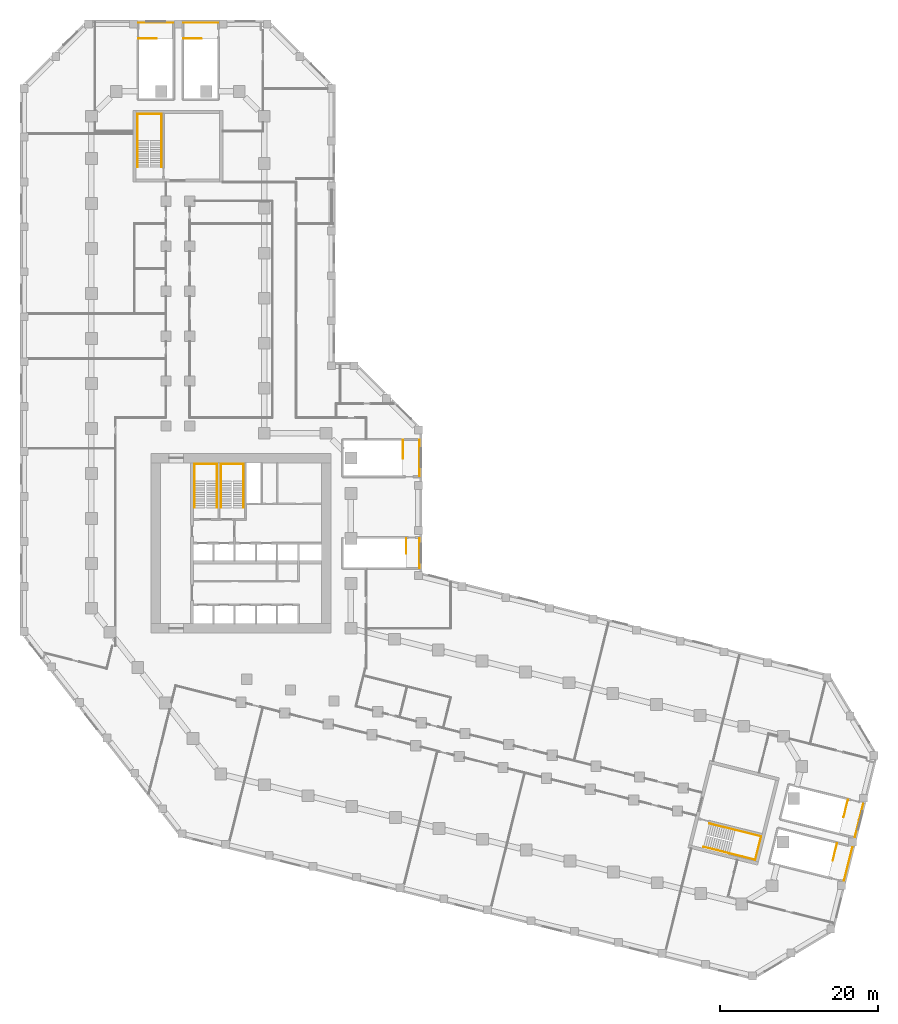
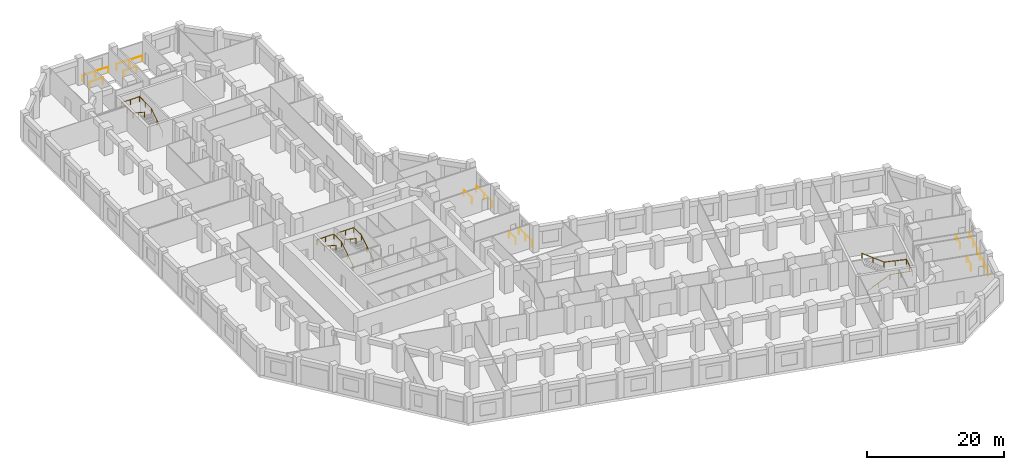
# One storey, part 13 of 13: 16 railings.
"""IFC4 building model written with IfcOpenShell, lengths in metres."""

import ifcopenshell
import ifcopenshell.guid

model = None  # the IFC model being written
_history = None  # IfcOwnerHistory: only IFC2X3 demands one
_inside = {}  # id of a spatial element -> (the spatial element, [elements in it])
_under = {}  # id of a project, library or spatial element -> (it, [spatial elements below it])
_declared = {}  # id of a project -> (the project, [libraries it declares])
_typed = {}  # id of a type object -> (the type object, [elements of that type])
_made_of = {}  # id of a material, layer set ... -> (it, [elements and type objects made of it])


def new_model(schema):
    """Start an empty IFC model of exactly this schema.

    Asked for "IFC4X3", IfcOpenShell would pick the latest addendum, in which some entities
    have other attributes; the version numbers below select the first issue.
    IFC2X3 requires an IfcOwnerHistory on every rooted entity: one is made here for all.
    """
    global model, _history
    if schema == "IFC4X3":
        model = ifcopenshell.file(schema_version=(4, 3, 0, 0))
    else:
        model = ifcopenshell.file(schema=schema)
    _inside.clear()
    _under.clear()
    _declared.clear()
    _typed.clear()
    _made_of.clear()
    _history = None
    if model.schema == "IFC2X3":
        org = make("IfcOrganization", Name="unknown")
        user = make(
            "IfcPersonAndOrganization",
            ThePerson=make("IfcPerson", FamilyName="unknown"),
            TheOrganization=org,
        )
        app = make(
            "IfcApplication",
            ApplicationDeveloper=org,
            Version="unknown",
            ApplicationFullName="unknown",
            ApplicationIdentifier="unknown",
        )
        _history = make(
            "IfcOwnerHistory",
            OwningUser=user,
            OwningApplication=app,
            ChangeAction="ADDED",
            CreationDate=0,
        )
    return model


def make(cls, **values):
    """One entity of the class cls with the attributes given. An attribute that is None is left unset."""
    return model.create_entity(
        cls, **{name: value for name, value in values.items() if value is not None}
    )


def rooted(cls, **values):
    """An entity with a GlobalId (a new one), such as an element, a storey or a relation."""
    return make(cls, GlobalId=ifcopenshell.guid.new(), OwnerHistory=_history, **values)


def si_unit(unit_type, name, prefix=None):
    """IfcSIUnit, for example si_unit("LENGTHUNIT", "METRE", prefix="MILLI")."""
    return make("IfcSIUnit", UnitType=unit_type, Prefix=prefix, Name=name)


def assignment(units):
    """IfcUnitAssignment: the units of a project."""
    return None if units is None else make("IfcUnitAssignment", Units=units)


def point(xyz):
    """IfcCartesianPoint."""
    return None if xyz is None else make("IfcCartesianPoint", Coordinates=xyz)


def direction(xyz):
    """IfcDirection."""
    return None if xyz is None else make("IfcDirection", DirectionRatios=xyz)


def frame(location, z_axis=None, x_axis=None):
    """IfcAxis2Placement3D, a coordinate frame: its origin and axes. An axis left out is left unset."""
    return make(
        "IfcAxis2Placement3D",
        Location=point(location),
        Axis=direction(z_axis),
        RefDirection=direction(x_axis),
    )


def frame_2d(location, x_axis=None):
    """IfcAxis2Placement2D, a coordinate frame in the plane: its origin and x axis."""
    return make(
        "IfcAxis2Placement2D", Location=point(location), RefDirection=direction(x_axis)
    )


def origin():
    """The frame at (0, 0, 0) with its axes left unset."""
    return frame((0.0, 0.0, 0.0))


def origin_2d():
    """The frame at (0, 0) in the plane with its x axis left unset."""
    return frame_2d((0.0, 0.0))


def place(relative_to, where):
    """IfcLocalPlacement: puts the frame where relative to a parent placement (None: the world)."""
    return make(
        "IfcLocalPlacement", PlacementRelTo=relative_to, RelativePlacement=where
    )


def context(
    kind, dimensions, precision=None, world=None, true_north=None, identifier=None
):
    """IfcGeometricRepresentationContext, for example the 3D "Model" context."""
    return make(
        "IfcGeometricRepresentationContext",
        ContextIdentifier=identifier,
        ContextType=kind,
        CoordinateSpaceDimension=dimensions,
        Precision=precision,
        WorldCoordinateSystem=world,
        TrueNorth=true_north,
    )


def subcontext(parent, identifier, kind, view, scale=None):
    """IfcGeometricRepresentationSubContext, for example "Body" below "Model"."""
    return make(
        "IfcGeometricRepresentationSubContext",
        ContextIdentifier=identifier,
        ContextType=kind,
        ParentContext=parent,
        TargetScale=scale,
        TargetView=view,
    )


def project(units=None, contexts=None):
    """IfcProject with its units and contexts."""
    return rooted(
        "IfcProject",
        Name="project",
        RepresentationContexts=contexts,
        UnitsInContext=assignment(units),
    )


def spatial(cls, under=None, at=None, **own):
    """A site, building, storey or space (cls), placed at a placement, below another one or the project."""
    s = rooted(cls, ObjectPlacement=at, **own)
    if under is not None:
        _under.setdefault(under.id(), (under, []))[1].append(s)
    return s


def profile(cls, at=None, kind="AREA", **sizes):
    """A parametric profile (cls). Its sizes go by their IFC names, for example OverallWidth=200.0."""
    return make(cls, ProfileType=kind, Position=at, **sizes)


def circle(**sizes):
    """IfcCircleProfileDef."""
    return profile("IfcCircleProfileDef", **sizes)


def extrude(swept, where, along, depth):
    """IfcExtrudedAreaSolid: the profile swept, set in the frame where, extruded along a direction by depth."""
    return make(
        "IfcExtrudedAreaSolid",
        SweptArea=swept,
        Position=where,
        ExtrudedDirection=direction(along),
        Depth=depth,
    )


def shape(context_of_items, identifier, shape_type, items):
    """IfcShapeRepresentation: the items that make up one representation, for example the "Body"."""
    return make(
        "IfcShapeRepresentation",
        ContextOfItems=context_of_items,
        RepresentationIdentifier=identifier,
        RepresentationType=shape_type,
        Items=items,
    )


def material(Name=None, Category=None):
    """IfcMaterial."""
    return make("IfcMaterial", Name=Name, Category=Category)


def made_of(thing, what):
    """Note that an element or type object is made of a material, layer set ...; save() writes the relation."""
    if what is not None:
        _made_of.setdefault(what.id(), (what, []))[1].append(thing)
    return thing


def type_object(cls, material=None, **own):
    """A type object (cls), such as IfcWallType, which elements share."""
    return made_of(rooted(cls, **own), material)


def element(
    cls,
    number,
    at=None,
    inside=None,
    cuts=None,
    type_object=None,
    material=None,
    context=None,
    identifier="Body",
    shape_type=None,
    held_by="IfcProductDefinitionShape",
    body=None,
    shapes=None,
    **own,
):
    """One element of the class cls, such as IfcWall. Its Tag is "e" and its number.

    at: its placement. inside: the storey or other place that contains it. cuts: it is an
    opening in that element (IfcRelVoidsElement). A single representation is given by context,
    identifier, shape_type and body (its items); several are given by shapes. held_by: the class
    of the entity that holds the representations. save() writes the other relations.
    """
    e = rooted(cls, Tag="e%d" % number, ObjectPlacement=at, **own)
    if body is not None:
        shapes = [shape(context, identifier, shape_type, body)]
    if shapes is not None:
        e.Representation = make(held_by, Representations=shapes)
    if inside is not None:
        _inside.setdefault(inside.id(), (inside, []))[1].append(e)
    if cuts is not None:
        rooted(
            "IfcRelVoidsElement", RelatingBuildingElement=cuts, RelatedOpeningElement=e
        )
    if type_object is not None:
        _typed.setdefault(type_object.id(), (type_object, []))[1].append(e)
    return made_of(e, material)


def aggregate(whole, parts):
    """IfcRelAggregates: a whole, such as a stair, and the parts it consists of."""
    return rooted("IfcRelAggregates", RelatingObject=whole, RelatedObjects=parts)


def save(model, path):
    """Write the relations noted so far, then the file.

    IfcRelAggregates (storeys below a building ...), IfcRelContainedInSpatialStructure (elements
    in a storey), IfcRelDefinesByType, IfcRelAssociatesMaterial and IfcRelDeclares: one each for
    every whole, place, type object, material and project.
    """
    for whole, parts in _under.values():
        aggregate(whole, parts)
    for where, things in _inside.values():
        rooted(
            "IfcRelContainedInSpatialStructure",
            RelatedElements=things,
            RelatingStructure=where,
        )
    for kind, things in _typed.values():
        rooted("IfcRelDefinesByType", RelatedObjects=things, RelatingType=kind)
    for what, things in _made_of.values():
        rooted("IfcRelAssociatesMaterial", RelatedObjects=things, RelatingMaterial=what)
    for by, libraries in _declared.values():
        rooted("IfcRelDeclares", RelatingContext=by, RelatedDefinitions=libraries)
    model.write(path)


model = new_model("IFC4")

# Units and contexts
model_context = context("Model", 3, precision=1e-05, world=origin(), true_north=direction((0.0, 1.0)))
body_context = subcontext(model_context, "Body", "Model", "MODEL_VIEW")
ifc_project = project(units=[si_unit("LENGTHUNIT", "METRE"), si_unit("AREAUNIT", "SQUARE_METRE"), si_unit("VOLUMEUNIT", "CUBIC_METRE"), si_unit("PLANEANGLEUNIT", "RADIAN"), si_unit("MASSUNIT", "GRAM", prefix="KILO")], contexts=[model_context])

# Site, building, storey
site_placement = place(None, origin())
site = spatial("IfcSite", under=ifc_project, at=site_placement, CompositionType="ELEMENT")
building_placement = place(site_placement, origin())
building = spatial("IfcBuilding", under=site, at=building_placement, Name="Meshkara Civic Tower", CompositionType="ELEMENT")
storey_placement = place(building_placement, frame((0.0, 0.0, 28.199951171875)))
storey = spatial("IfcBuildingStorey", under=building, at=storey_placement, Name="L05", CompositionType="ELEMENT", Elevation=28.199951171875)

# Railings
ifc_material_1 = material(Name="Steel guard", Category="steel")
railing_type_1 = type_object("IfcRailingType", Name="Podium stair guard 1100", PredefinedType="GUARDRAIL", material=ifc_material_1)
railing_1_placement = place(storey_placement, frame((6.43505859375, 89.469970703125, 0.0)))
element("IfcRailing", 1, at=railing_1_placement, inside=storey, type_object=railing_type_1, Name="L05 PS1 top well guard 1", PredefinedType="GUARDRAIL", context=body_context, shape_type="SweptSolid", body=[
    extrude(circle(Radius=0.02392578125, at=origin_2d()), frame((0.0, 0.0, 1.076171875), z_axis=(1.0, 0.0, 0.0), x_axis=(0.0, 1.0, 0.0)), (0.0, 0.0, 1.0), 2.25),
    extrude(circle(Radius=0.02099609375, at=origin_2d()), origin(), (0.0, 0.0, 1.0), 1.052001953125),
    extrude(circle(Radius=0.02099609375, at=origin_2d()), frame((2.25, 0.0, 0.0)), (0.0, 0.0, 1.0), 1.052001953125),
])
railing_2_placement = place(storey_placement, frame((6.43505859375, 91.469970703125, 0.0)))
element("IfcRailing", 2, at=railing_2_placement, inside=storey, type_object=railing_type_1, Name="L05 PS1 top well guard 2", PredefinedType="GUARDRAIL", context=body_context, shape_type="SweptSolid", body=[
    extrude(circle(Radius=0.02392578125, at=origin_2d()), frame((0.0, 0.0, 1.076171875), z_axis=(1.0, 0.0, 0.0), x_axis=(0.0, 1.0, 0.0)), (0.0, 0.0, 1.0), 4.349853515625),
    extrude(circle(Radius=0.02099609375, at=origin_2d()), origin(), (0.0, 0.0, 1.0), 1.052001953125),
    extrude(circle(Radius=0.02099609375, at=origin_2d()), frame((2.1748046875, 0.0, 0.0)), (0.0, 0.0, 1.0), 1.052001953125),
    extrude(circle(Radius=0.02099609375, at=origin_2d()), frame((4.349853515625, 0.0, 0.0)), (0.0, 0.0, 1.0), 1.052001953125),
])
railing_3_placement = place(storey_placement, frame((12.135009765625, 89.469970703125, 0.0)))
element("IfcRailing", 3, at=railing_3_placement, inside=storey, type_object=railing_type_1, Name="L05 PS2 top well guard 1", PredefinedType="GUARDRAIL", context=body_context, shape_type="SweptSolid", body=[
    extrude(circle(Radius=0.02392578125, at=origin_2d()), frame((0.0, 0.0, 1.076171875), z_axis=(1.0, 0.0, 0.0), x_axis=(0.0, 1.0, 0.0)), (0.0, 0.0, 1.0), 2.25),
    extrude(circle(Radius=0.02099609375, at=origin_2d()), origin(), (0.0, 0.0, 1.0), 1.052001953125),
    extrude(circle(Radius=0.02099609375, at=origin_2d()), frame((2.25, 0.0, 0.0)), (0.0, 0.0, 1.0), 1.052001953125),
])
railing_4_placement = place(storey_placement, frame((12.135009765625, 91.469970703125, 0.0)))
element("IfcRailing", 4, at=railing_4_placement, inside=storey, type_object=railing_type_1, Name="L05 PS2 top well guard 2", PredefinedType="GUARDRAIL", context=body_context, shape_type="SweptSolid", body=[
    extrude(circle(Radius=0.02392578125, at=origin_2d()), frame((0.0, 0.0, 1.076171875), z_axis=(1.0, 0.0, 0.0), x_axis=(0.0, 1.0, 0.0)), (0.0, 0.0, 1.0), 4.35009765625),
    extrude(circle(Radius=0.02099609375, at=origin_2d()), origin(), (0.0, 0.0, 1.0), 1.052001953125),
    extrude(circle(Radius=0.02099609375, at=origin_2d()), frame((2.175048828125, 0.0, 0.0)), (0.0, 0.0, 1.0), 1.052001953125),
    extrude(circle(Radius=0.02099609375, at=origin_2d()), frame((4.35009765625, 0.0, 0.0)), (0.0, 0.0, 1.0), 1.052001953125),
])
railing_5_placement = place(storey_placement, frame((94.951904296875, -12.55908203125, 0.0)))
element("IfcRailing", 5, at=railing_5_placement, inside=storey, type_object=railing_type_1, Name="L05 PS3 top well guard 1", PredefinedType="GUARDRAIL", context=body_context, shape_type="SweptSolid", body=[
    extrude(circle(Radius=0.02392578125, at=origin_2d()), frame((0.0, 0.0, 1.076171875), z_axis=(-0.24197389347, -0.970282760271, 0.0), x_axis=(0.970282760271, -0.24197389347, 0.0)), (0.0, 0.0, 1.0), 2.25),
    extrude(circle(Radius=0.02099609375, at=origin_2d()), origin(), (0.0, 0.0, 1.0), 1.052001953125),
    extrude(circle(Radius=0.02099609375, at=origin_2d()), frame((-0.54443359375, -2.18310546875, 0.0)), (0.0, 0.0, 1.0), 1.052001953125),
])
railing_6_placement = place(storey_placement, frame((96.892578125, -13.04296875, 0.0)))
element("IfcRailing", 6, at=railing_6_placement, inside=storey, type_object=railing_type_1, Name="L05 PS3 top well guard 2", PredefinedType="GUARDRAIL", context=body_context, shape_type="SweptSolid", body=[
    extrude(circle(Radius=0.02392578125, at=origin_2d()), frame((0.0, 0.0, 1.076171875), z_axis=(-0.241954523554, -0.970287590631, 0.0), x_axis=(0.970287590631, -0.241954523554, 0.0)), (0.0, 0.0, 1.0), 4.349853515625),
    extrude(circle(Radius=0.02099609375, at=origin_2d()), origin(), (0.0, 0.0, 1.0), 1.052001953125),
    extrude(circle(Radius=0.02099609375, at=origin_2d()), frame((-0.5263671875, -2.1103515625, 0.0)), (0.0, 0.0, 1.0), 1.052001953125),
    extrude(circle(Radius=0.02099609375, at=origin_2d()), frame((-1.052490234375, -4.220703125, 0.0)), (0.0, 0.0, 1.0), 1.052001953125),
])
railing_7_placement = place(storey_placement, frame((96.330810546875, -7.028076171875, 0.0)))
element("IfcRailing", 7, at=railing_7_placement, inside=storey, type_object=railing_type_1, Name="L05 PS4 top well guard 1", PredefinedType="GUARDRAIL", context=body_context, shape_type="SweptSolid", body=[
    extrude(circle(Radius=0.02392578125, at=origin_2d()), frame((0.0, 0.0, 1.076171875), z_axis=(-0.241871734293, -0.970308231517, 0.0), x_axis=(0.970308231517, -0.241871734293, 0.0)), (0.0, 0.0, 1.0), 2.25),
    extrude(circle(Radius=0.02099609375, at=origin_2d()), origin(), (0.0, 0.0, 1.0), 1.052001953125),
    extrude(circle(Radius=0.02099609375, at=origin_2d()), frame((-0.544189453125, -2.18310546875, 0.0)), (0.0, 0.0, 1.0), 1.052001953125),
])
railing_8_placement = place(storey_placement, frame((98.271484375, -7.511962890625, 0.0)))
element("IfcRailing", 8, at=railing_8_placement, inside=storey, type_object=railing_type_1, Name="L05 PS4 top well guard 2", PredefinedType="GUARDRAIL", context=body_context, shape_type="SweptSolid", body=[
    extrude(circle(Radius=0.02392578125, at=origin_2d()), frame((0.0, 0.0, 1.076171875), z_axis=(-0.241901683224, -0.970300765564, 0.0), x_axis=(0.970300765564, -0.241901683224, 0.0)), (0.0, 0.0, 1.0), 4.349853515625),
    extrude(circle(Radius=0.02099609375, at=origin_2d()), origin(), (0.0, 0.0, 1.0), 1.052001953125),
    extrude(circle(Radius=0.02099609375, at=origin_2d()), frame((-0.526123046875, -2.1103515625, 0.0)), (0.0, 0.0, 1.0), 1.052001953125),
    extrude(circle(Radius=0.02099609375, at=origin_2d()), frame((-1.05224609375, -4.220703125, 0.0)), (0.0, 0.0, 1.0), 1.052001953125),
])
railing_9_placement = place(storey_placement, frame((40.35009765625, 26.125, 0.0)))
element("IfcRailing", 9, at=railing_9_placement, inside=storey, type_object=railing_type_1, Name="L05 PS5 top well guard 1", PredefinedType="GUARDRAIL", context=body_context, shape_type="SweptSolid", body=[
    extrude(circle(Radius=0.02392578125, at=origin_2d()), frame((0.0, 0.0, 1.076171875), z_axis=(0.0, -1.0, 0.0), x_axis=(1.0, 0.0, 0.0)), (0.0, 0.0, 1.0), 1.949951171875),
    extrude(circle(Radius=0.02099609375, at=origin_2d()), origin(), (0.0, 0.0, 1.0), 1.052001953125),
    extrude(circle(Radius=0.02099609375, at=origin_2d()), frame((0.0, -1.949951171875, 0.0)), (0.0, 0.0, 1.0), 1.052001953125),
])
railing_10_placement = place(storey_placement, frame((42.050048828125, 26.125, 0.0)))
element("IfcRailing", 10, at=railing_10_placement, inside=storey, type_object=railing_type_1, Name="L05 PS5 top well guard 2", PredefinedType="GUARDRAIL", context=body_context, shape_type="SweptSolid", body=[
    extrude(circle(Radius=0.02392578125, at=origin_2d()), frame((0.0, 0.0, 1.076171875), z_axis=(0.0, -1.0, 0.0), x_axis=(1.0, 0.0, 0.0)), (0.0, 0.0, 1.0), 3.75),
    extrude(circle(Radius=0.02099609375, at=origin_2d()), origin(), (0.0, 0.0, 1.0), 1.052001953125),
    extrude(circle(Radius=0.02099609375, at=origin_2d()), frame((0.0, -1.875, 0.0)), (0.0, 0.0, 1.0), 1.052001953125),
    extrude(circle(Radius=0.02099609375, at=origin_2d()), frame((0.0, -3.75, 0.0)), (0.0, 0.0, 1.0), 1.052001953125),
])
railing_11_placement = place(storey_placement, frame((39.949951171875, 38.574951171875, 0.0)))
element("IfcRailing", 11, at=railing_11_placement, inside=storey, type_object=railing_type_1, Name="L05 PS6 top well guard 1", PredefinedType="GUARDRAIL", context=body_context, shape_type="SweptSolid", body=[
    extrude(circle(Radius=0.02392578125, at=origin_2d()), frame((0.0, 0.0, 1.076171875), z_axis=(0.0, -1.0, 0.0), x_axis=(1.0, 0.0, 0.0)), (0.0, 0.0, 1.0), 2.349853515625),
    extrude(circle(Radius=0.02099609375, at=origin_2d()), origin(), (0.0, 0.0, 1.0), 1.052001953125),
    extrude(circle(Radius=0.02099609375, at=origin_2d()), frame((0.0, -2.349853515625, 0.0)), (0.0, 0.0, 1.0), 1.052001953125),
])
railing_12_placement = place(storey_placement, frame((42.050048828125, 38.574951171875, 0.0)))
element("IfcRailing", 12, at=railing_12_placement, inside=storey, type_object=railing_type_1, Name="L05 PS6 top well guard 2", PredefinedType="GUARDRAIL", context=body_context, shape_type="SweptSolid", body=[
    extrude(circle(Radius=0.02392578125, at=origin_2d()), frame((0.0, 0.0, 1.076171875), z_axis=(0.0, -1.0, 0.0), x_axis=(1.0, 0.0, 0.0)), (0.0, 0.0, 1.0), 4.550048828125),
    extrude(circle(Radius=0.02099609375, at=origin_2d()), origin(), (0.0, 0.0, 1.0), 1.052001953125),
    extrude(circle(Radius=0.02099609375, at=origin_2d()), frame((0.0, -2.27490234375, 0.0)), (0.0, 0.0, 1.0), 1.052001953125),
    extrude(circle(Radius=0.02099609375, at=origin_2d()), frame((0.0, -4.550048828125, 0.0)), (0.0, 0.0, 1.0), 1.052001953125),
])
ifc_material_2 = material(Name="Steel handrail", Category="steel")
railing_type_2 = type_object("IfcRailingType", Name="Stair handrail 900", PredefinedType="HANDRAIL", material=ifc_material_2)
railing_13_placement = place(storey_placement, frame((16.375, 30.0, 0.1845703125)))
element("IfcRailing", 13, at=railing_13_placement, inside=storey, type_object=railing_type_2, Name="L05 ST1 stair handrail 1", PredefinedType="HANDRAIL", context=body_context, shape_type="SweptSolid", body=[
    extrude(circle(Radius=0.02392578125, at=origin_2d()), frame((0.0, 0.0, 0.8759765625), z_axis=(0.0, 0.834848600103, 0.550479622607), x_axis=(-1.0, 0.0, 0.0)), (0.0, 0.0, 1.0), 4.02490234375),
    extrude(circle(Radius=0.02392578125, at=origin_2d()), frame((0.0, 3.360107421875, 3.09130859375), z_axis=(0.0, 1.0, 0.0), x_axis=(-1.0, 0.0, 0.0)), (0.0, 0.0, 1.0), 2.18994140625),
    extrude(circle(Radius=0.02392578125, at=origin_2d()), frame((0.0, 5.550048828125, 3.09130859375), z_axis=(-1.0, 0.0, 0.0), x_axis=(0.0, -1.0, 0.0)), (0.0, 0.0, 1.0), 2.85009765625),
    extrude(circle(Radius=0.02392578125, at=origin_2d()), frame((-2.85009765625, 5.550048828125, 3.09130859375), z_axis=(0.0, -0.996467171765, 0.083983186383), x_axis=(1.0, 0.0, 0.0)), (0.0, 0.0, 1.0), 2.19775390625),
    extrude(circle(Radius=0.02392578125, at=origin_2d()), frame((-2.85009765625, 3.360107421875, 3.27587890625), z_axis=(0.0, -0.834876476806, 0.550437342915), x_axis=(1.0, 0.0, 0.0)), (0.0, 0.0, 1.0), 4.024658203125),
    extrude(circle(Radius=0.02099609375, at=origin_2d()), origin(), (0.0, 0.0, 1.0), 0.851806640625),
    extrude(circle(Radius=0.02099609375, at=origin_2d()), frame((0.0, 1.68017578125, 1.10791015625)), (0.0, 0.0, 1.0), 0.851806640625),
    extrude(circle(Radius=0.02099609375, at=origin_2d()), frame((0.0, 3.360107421875, 2.215576171875)), (0.0, 0.0, 1.0), 0.851806640625),
    extrude(circle(Radius=0.02099609375, at=origin_2d()), frame((0.0, 5.550048828125, 2.215576171875)), (0.0, 0.0, 1.0), 0.851806640625),
    extrude(circle(Radius=0.02099609375, at=origin_2d()), frame((-1.425048828125, 5.550048828125, 2.215576171875)), (0.0, 0.0, 1.0), 0.851806640625),
    extrude(circle(Radius=0.02099609375, at=origin_2d()), frame((-2.85009765625, 5.550048828125, 2.215576171875)), (0.0, 0.0, 1.0), 0.851806640625),
    extrude(circle(Radius=0.02099609375, at=origin_2d()), frame((-2.85009765625, 3.360107421875, 2.400146484375)), (0.0, 0.0, 1.0), 0.851806640625),
    extrude(circle(Radius=0.02099609375, at=origin_2d()), frame((-2.85009765625, 1.68017578125, 3.5078125)), (0.0, 0.0, 1.0), 0.851806640625),
    extrude(circle(Radius=0.02099609375, at=origin_2d()), frame((-2.85009765625, 0.0, 4.615478515625)), (0.0, 0.0, 1.0), 0.851806640625),
])
railing_14_placement = place(storey_placement, frame((19.72509765625, 30.0, 0.1845703125)))
element("IfcRailing", 14, at=railing_14_placement, inside=storey, type_object=railing_type_2, Name="L05 ST2 stair handrail 1", PredefinedType="HANDRAIL", context=body_context, shape_type="SweptSolid", body=[
    extrude(circle(Radius=0.02392578125, at=origin_2d()), frame((0.0, 0.0, 0.8759765625), z_axis=(0.0, 0.834848600103, 0.550479622607), x_axis=(-1.0, 0.0, 0.0)), (0.0, 0.0, 1.0), 4.02490234375),
    extrude(circle(Radius=0.02392578125, at=origin_2d()), frame((0.0, 3.360107421875, 3.09130859375), z_axis=(0.0, 1.0, 0.0), x_axis=(-1.0, 0.0, 0.0)), (0.0, 0.0, 1.0), 2.18994140625),
    extrude(circle(Radius=0.02392578125, at=origin_2d()), frame((0.0, 5.550048828125, 3.09130859375), z_axis=(-1.0, 0.0, 0.0), x_axis=(0.0, -1.0, 0.0)), (0.0, 0.0, 1.0), 2.85009765625),
    extrude(circle(Radius=0.02392578125, at=origin_2d()), frame((-2.85009765625, 5.550048828125, 3.09130859375), z_axis=(0.0, -0.996467171765, 0.083983186383), x_axis=(1.0, 0.0, 0.0)), (0.0, 0.0, 1.0), 2.19775390625),
    extrude(circle(Radius=0.02392578125, at=origin_2d()), frame((-2.85009765625, 3.360107421875, 3.27587890625), z_axis=(0.0, -0.834876476806, 0.550437342915), x_axis=(1.0, 0.0, 0.0)), (0.0, 0.0, 1.0), 4.024658203125),
    extrude(circle(Radius=0.02099609375, at=origin_2d()), origin(), (0.0, 0.0, 1.0), 0.851806640625),
    extrude(circle(Radius=0.02099609375, at=origin_2d()), frame((0.0, 1.68017578125, 1.10791015625)), (0.0, 0.0, 1.0), 0.851806640625),
    extrude(circle(Radius=0.02099609375, at=origin_2d()), frame((0.0, 3.360107421875, 2.215576171875)), (0.0, 0.0, 1.0), 0.851806640625),
    extrude(circle(Radius=0.02099609375, at=origin_2d()), frame((0.0, 5.550048828125, 2.215576171875)), (0.0, 0.0, 1.0), 0.851806640625),
    extrude(circle(Radius=0.02099609375, at=origin_2d()), frame((-1.425048828125, 5.550048828125, 2.215576171875)), (0.0, 0.0, 1.0), 0.851806640625),
    extrude(circle(Radius=0.02099609375, at=origin_2d()), frame((-2.85009765625, 5.550048828125, 2.215576171875)), (0.0, 0.0, 1.0), 0.851806640625),
    extrude(circle(Radius=0.02099609375, at=origin_2d()), frame((-2.85009765625, 3.360107421875, 2.400146484375)), (0.0, 0.0, 1.0), 0.851806640625),
    extrude(circle(Radius=0.02099609375, at=origin_2d()), frame((-2.85009765625, 1.68017578125, 3.5078125)), (0.0, 0.0, 1.0), 0.851806640625),
    extrude(circle(Radius=0.02099609375, at=origin_2d()), frame((-2.85009765625, 0.0, 4.615478515625)), (0.0, 0.0, 1.0), 0.851806640625),
])
railing_15_placement = place(storey_placement, frame((9.324951171875, 73.169921875, 0.1845703125)))
element("IfcRailing", 15, at=railing_15_placement, inside=storey, type_object=railing_type_2, Name="L05 ESA1 stair handrail 1", PredefinedType="HANDRAIL", context=body_context, shape_type="SweptSolid", body=[
    extrude(circle(Radius=0.02392578125, at=origin_2d()), frame((0.0, 0.0, 0.8759765625), z_axis=(0.0, 0.834848600103, 0.550479622607), x_axis=(-1.0, 0.0, 0.0)), (0.0, 0.0, 1.0), 4.02490234375),
    extrude(circle(Radius=0.02392578125, at=origin_2d()), frame((0.0, 3.360107421875, 3.09130859375), z_axis=(0.0, 1.0, 0.0), x_axis=(-1.0, 0.0, 0.0)), (0.0, 0.0, 1.0), 3.389892578125),
    extrude(circle(Radius=0.02392578125, at=origin_2d()), frame((0.0, 6.75, 3.09130859375), z_axis=(-1.0, 0.0, 0.0), x_axis=(0.0, -1.0, 0.0)), (0.0, 0.0, 1.0), 3.050048828125),
    extrude(circle(Radius=0.02392578125, at=origin_2d()), frame((-3.050048828125, 6.75, 3.09130859375), z_axis=(0.0, -0.998521036226, 0.054366719725), x_axis=(1.0, 0.0, 0.0)), (0.0, 0.0, 1.0), 3.39501953125),
    extrude(circle(Radius=0.02392578125, at=origin_2d()), frame((-3.050048828125, 3.360107421875, 3.27587890625), z_axis=(0.0, -0.834876476806, 0.550437342915), x_axis=(1.0, 0.0, 0.0)), (0.0, 0.0, 1.0), 4.024658203125),
    extrude(circle(Radius=0.02099609375, at=origin_2d()), origin(), (0.0, 0.0, 1.0), 0.851806640625),
    extrude(circle(Radius=0.02099609375, at=origin_2d()), frame((0.0, 1.68017578125, 1.10791015625)), (0.0, 0.0, 1.0), 0.851806640625),
    extrude(circle(Radius=0.02099609375, at=origin_2d()), frame((0.0, 3.360107421875, 2.215576171875)), (0.0, 0.0, 1.0), 0.851806640625),
    extrude(circle(Radius=0.02099609375, at=origin_2d()), frame((0.0, 5.05517578125, 2.215576171875)), (0.0, 0.0, 1.0), 0.851806640625),
    extrude(circle(Radius=0.02099609375, at=origin_2d()), frame((0.0, 6.75, 2.215576171875)), (0.0, 0.0, 1.0), 0.851806640625),
    extrude(circle(Radius=0.02099609375, at=origin_2d()), frame((-1.52490234375, 6.75, 2.215576171875)), (0.0, 0.0, 1.0), 0.851806640625),
    extrude(circle(Radius=0.02099609375, at=origin_2d()), frame((-3.050048828125, 6.75, 2.215576171875)), (0.0, 0.0, 1.0), 0.851806640625),
    extrude(circle(Radius=0.02099609375, at=origin_2d()), frame((-3.050048828125, 5.05517578125, 2.307861328125)), (0.0, 0.0, 1.0), 0.851806640625),
    extrude(circle(Radius=0.02099609375, at=origin_2d()), frame((-3.050048828125, 3.360107421875, 2.400146484375)), (0.0, 0.0, 1.0), 0.851806640625),
    extrude(circle(Radius=0.02099609375, at=origin_2d()), frame((-3.050048828125, 1.68017578125, 3.5078125)), (0.0, 0.0, 1.0), 0.851806640625),
    extrude(circle(Radius=0.02099609375, at=origin_2d()), frame((-3.050048828125, 0.0, 4.615478515625)), (0.0, 0.0, 1.0), 0.851806640625),
])
railing_16_placement = place(storey_placement, frame((78.045166015625, -12.99169921875, 0.1845703125)))
element("IfcRailing", 16, at=railing_16_placement, inside=storey, type_object=railing_type_2, Name="L05 ESB1 stair handrail 1", PredefinedType="HANDRAIL", context=body_context, shape_type="SweptSolid", body=[
    extrude(circle(Radius=0.02392578125, at=origin_2d()), frame((0.0, 0.0, 0.8759765625), z_axis=(0.810022159928, -0.202111265305, 0.550468107035), x_axis=(0.242091113389, 0.970253519869, 0.0)), (0.0, 0.0, 1.0), 4.02490234375),
    extrude(circle(Radius=0.02392578125, at=origin_2d()), frame((3.26025390625, -0.8134765625, 3.09130859375), z_axis=(0.970261006213, -0.242061107622, 0.0), x_axis=(0.242061107622, 0.970261006213, 0.0)), (0.0, 0.0, 1.0), 3.389892578125),
    extrude(circle(Radius=0.02392578125, at=origin_2d()), frame((6.54931640625, -1.634033203125, 3.09130859375), z_axis=(0.242064726708, 0.970260103315, 0.0), x_axis=(-0.970260103315, 0.242064726708, 0.0)), (0.0, 0.0, 1.0), 3.050048828125),
    extrude(circle(Radius=0.02392578125, at=origin_2d()), frame((7.28759765625, 1.3251953125, 3.09130859375), z_axis=(-0.968809167537, 0.241770815117, 0.054366072644), x_axis=(-0.242128906468, -0.970244089213, 0.0)), (0.0, 0.0, 1.0), 3.39501953125),
    extrude(circle(Radius=0.02392578125, at=origin_2d()), frame((3.99853515625, 2.14599609375, 3.27587890625), z_axis=(-0.81005913674, 0.202059831098, 0.550432575017), x_axis=(-0.242022713442, -0.970270584001, 0.0)), (0.0, 0.0, 1.0), 4.024658203125),
    extrude(circle(Radius=0.02099609375, at=origin_2d()), origin(), (0.0, 0.0, 1.0), 0.851806640625),
    extrude(circle(Radius=0.02099609375, at=origin_2d()), frame((1.630126953125, -0.40673828125, 1.10791015625)), (0.0, 0.0, 1.0), 0.851806640625),
    extrude(circle(Radius=0.02099609375, at=origin_2d()), frame((3.26025390625, -0.8134765625, 2.215576171875)), (0.0, 0.0, 1.0), 0.851806640625),
    extrude(circle(Radius=0.02099609375, at=origin_2d()), frame((4.90478515625, -1.2236328125, 2.215576171875)), (0.0, 0.0, 1.0), 0.851806640625),
    extrude(circle(Radius=0.02099609375, at=origin_2d()), frame((6.54931640625, -1.634033203125, 2.215576171875)), (0.0, 0.0, 1.0), 0.851806640625),
    extrude(circle(Radius=0.02099609375, at=origin_2d()), frame((6.91845703125, -0.154296875, 2.215576171875)), (0.0, 0.0, 1.0), 0.851806640625),
    extrude(circle(Radius=0.02099609375, at=origin_2d()), frame((7.28759765625, 1.3251953125, 2.215576171875)), (0.0, 0.0, 1.0), 0.851806640625),
    extrude(circle(Radius=0.02099609375, at=origin_2d()), frame((5.64306640625, 1.735595703125, 2.307861328125)), (0.0, 0.0, 1.0), 0.851806640625),
    extrude(circle(Radius=0.02099609375, at=origin_2d()), frame((3.99853515625, 2.14599609375, 2.400146484375)), (0.0, 0.0, 1.0), 0.851806640625),
    extrude(circle(Radius=0.02099609375, at=origin_2d()), frame((2.368408203125, 2.552734375, 3.5078125)), (0.0, 0.0, 1.0), 0.851806640625),
    extrude(circle(Radius=0.02099609375, at=origin_2d()), frame((0.73828125, 2.959228515625, 4.615478515625)), (0.0, 0.0, 1.0), 0.851806640625),
])

save(model, "model.ifc")
